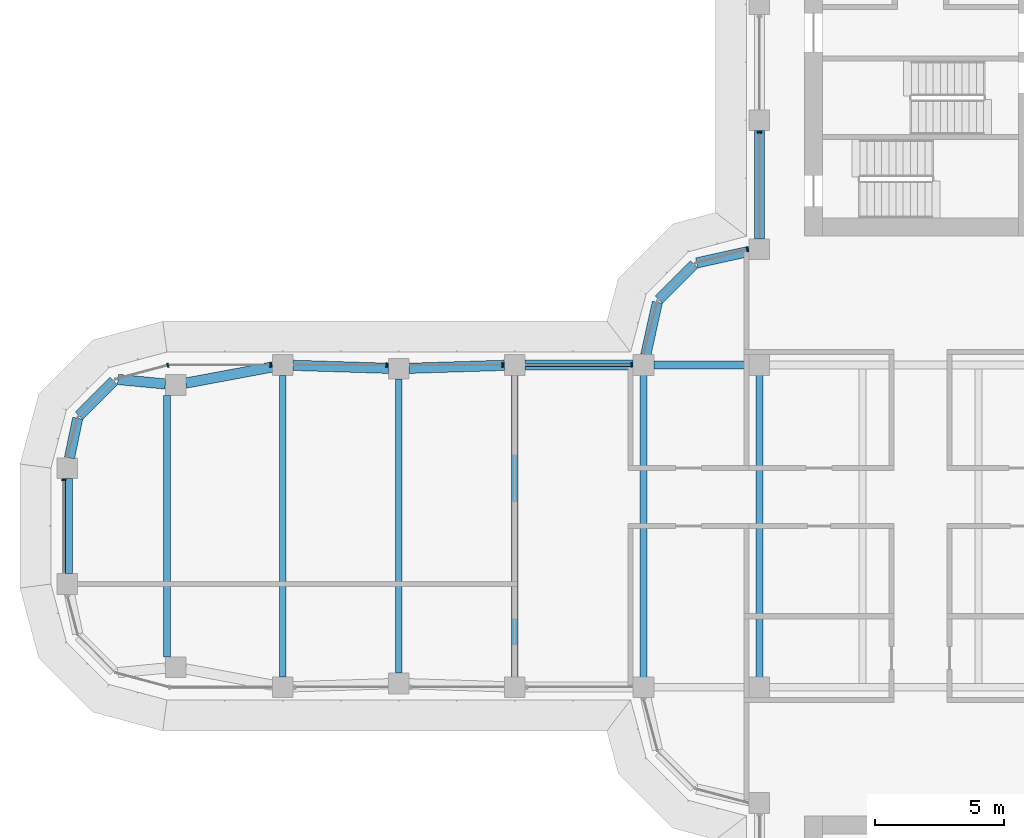
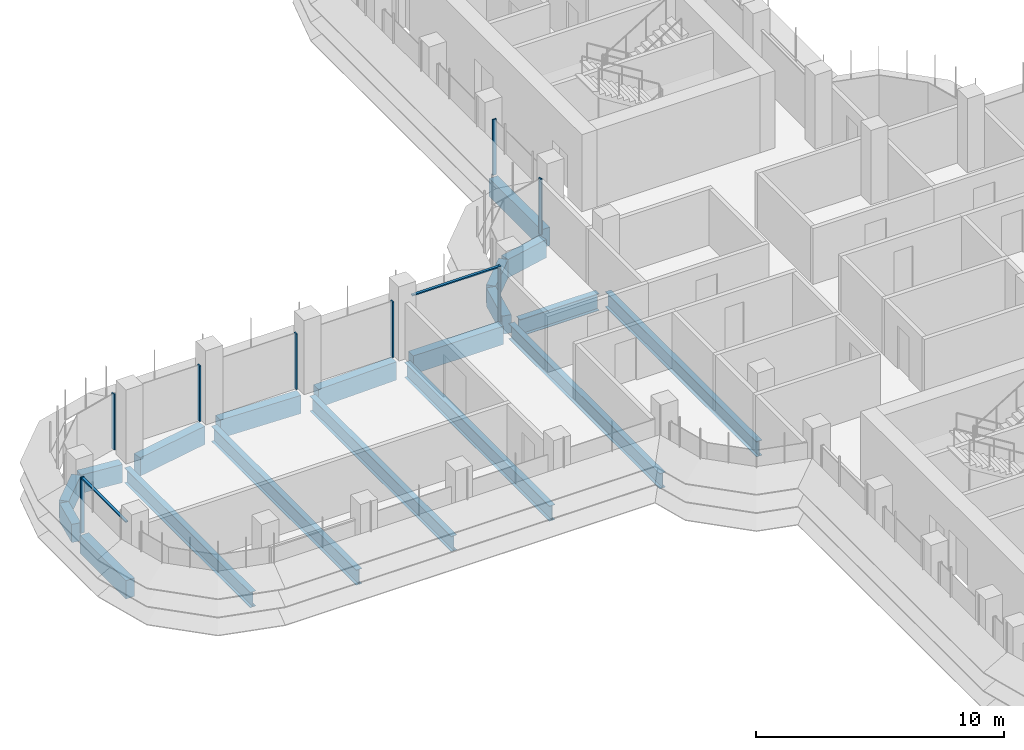
# One storey, part 6 of 19: 19 beams, 10 members, 5 elements without a shape of their own.
"""IFC4 building model written with IfcOpenShell, lengths in metres."""

from ifc_helpers import new_model, si_unit, direction, frame, origin, origin_2d, place, context, subcontext, project, spatial, polyline, rectangle, i_section, outline, extrude, source, transform, mapped, material, material_profile, profile_set, type_object, element, aggregate, save


model = new_model("IFC4")

# Units and contexts
model_context = context("Model", 3, precision=1e-05, world=origin(), true_north=direction((0.0, 1.0)))
body_context = subcontext(model_context, "Body", "Model", "MODEL_VIEW")
ifc_project = project(units=[si_unit("LENGTHUNIT", "METRE"), si_unit("AREAUNIT", "SQUARE_METRE"), si_unit("VOLUMEUNIT", "CUBIC_METRE"), si_unit("PLANEANGLEUNIT", "RADIAN"), si_unit("MASSUNIT", "GRAM", prefix="KILO")], contexts=[model_context])

# Site, building, storey
site_placement = place(None, origin())
site = spatial("IfcSite", under=ifc_project, at=site_placement, CompositionType="ELEMENT")
building_placement = place(site_placement, origin())
building = spatial("IfcBuilding", under=site, at=building_placement, Name="Zarbagh Exchange Tower", CompositionType="ELEMENT")
storey_placement = place(building_placement, frame((0.0, 0.0, 182.800048828125)))
storey = spatial("IfcBuildingStorey", under=building, at=storey_placement, Name="L44", CompositionType="ELEMENT", Elevation=182.800048828125)

# Beams
ifc_material_1 = material(Name="Steel ASTM A992 Gr 50", Category="steel")
ifc_material_profile_1 = material_profile(ifc_material_1, i_section(OverallWidth=0.26416015625, OverallDepth=0.749267578125, WebThickness=0.011962890625, FlangeThickness=0.015380859375, at=origin_2d()), Name="W30X90")
ifc_profile_set_1 = profile_set([ifc_material_profile_1], Name="Steel ASTM A992 Gr 50")
beam_type_1 = type_object("IfcBeamType", Name="Floor beam W30X90", PredefinedType="BEAM", material=ifc_profile_set_1)
for number, where, z_axis, x_axis, name in (
    (1, (-10.75, -6.10400390625, -0.524658203125), (0.0, 1.0, 0.0), (-1.0, 0.0, 0.0), "Steel floor beam"),
    (2, (-6.25, -6.10400390625, -0.524658203125), (0.0, 1.0, 0.0), (-1.0, 0.0, 0.0), "Steel floor beam"),
):
    element("IfcBeam", number, at=place(storey_placement, frame(where, z_axis=z_axis, x_axis=x_axis)), inside=storey, type_object=beam_type_1, Name=name, PredefinedType="BEAM", context=body_context, shape_type="SweptSolid", body=[
        extrude(i_section(OverallWidth=0.26416015625, OverallDepth=0.749267578125, WebThickness=0.011962890625, FlangeThickness=0.015380859375, at=origin_2d()), origin(), (0.0, 0.0, 1.0), 12.2080078125),
    ])
beam_1_placement = place(storey_placement, frame((-15.75, -5.85009765625, -0.524658203125), z_axis=(0.0, 1.0, 0.0), x_axis=(-1.0, 0.0, 0.0)))
element("IfcBeam", 3, at=beam_1_placement, inside=storey, type_object=beam_type_1, Name="Steel floor beam", PredefinedType="BEAM", context=body_context, shape_type="SweptSolid", body=[
    extrude(i_section(OverallWidth=0.26416015625, OverallDepth=0.749267578125, WebThickness=0.011962890625, FlangeThickness=0.015380859375, at=origin_2d()), origin(), (0.0, 0.0, 1.0), 11.7001953125),
])
beam_2_placement = place(storey_placement, frame((-20.25, -5.7099609375, -0.524658203125), z_axis=(0.0, 1.0, 0.0), x_axis=(-1.0, 0.0, 0.0)))
element("IfcBeam", 4, at=beam_2_placement, inside=storey, type_object=beam_type_1, Name="Steel floor beam", PredefinedType="BEAM", context=body_context, shape_type="SweptSolid", body=[
    extrude(i_section(OverallWidth=0.26416015625, OverallDepth=0.749267578125, WebThickness=0.011962890625, FlangeThickness=0.015380859375, at=origin_2d()), origin(), (0.0, 0.0, 1.0), 11.419921875),
])
beam_3_placement = place(storey_placement, frame((-24.75, -5.85009765625, -0.524658203125), z_axis=(0.0, 1.0, 0.0), x_axis=(-1.0, 0.0, 0.0)))
element("IfcBeam", 5, at=beam_3_placement, inside=storey, type_object=beam_type_1, Name="Steel floor beam", PredefinedType="BEAM", context=body_context, shape_type="SweptSolid", body=[
    extrude(i_section(OverallWidth=0.26416015625, OverallDepth=0.749267578125, WebThickness=0.011962890625, FlangeThickness=0.015380859375, at=origin_2d()), origin(), (0.0, 0.0, 1.0), 11.7001953125),
])
beam_4_placement = place(storey_placement, frame((-29.25, -5.074951171875, -0.524658203125), z_axis=(0.0, 1.0, 0.0), x_axis=(-1.0, 0.0, 0.0)))
element("IfcBeam", 6, at=beam_4_placement, inside=storey, type_object=beam_type_1, Name="Steel floor beam", PredefinedType="BEAM", context=body_context, shape_type="SweptSolid", body=[
    extrude(i_section(OverallWidth=0.26416015625, OverallDepth=0.749267578125, WebThickness=0.011962890625, FlangeThickness=0.015380859375, at=origin_2d()), origin(), (0.0, 0.0, 1.0), 10.14990234375),
])
ifc_material_profile_2 = material_profile(ifc_material_1, i_section(OverallWidth=0.2919921875, OverallDepth=0.835693359375, WebThickness=0.013916015625, FlangeThickness=0.018798828125, at=origin_2d()), Name="W33X118")
ifc_profile_set_2 = profile_set([ifc_material_profile_2], Name="Steel ASTM A992 Gr 50")
beam_type_2 = type_object("IfcBeamType", Name="Floor girder W33X118", PredefinedType="BEAM", material=ifc_profile_set_2)
beam_5_placement = place(storey_placement, frame((-10.35009765625, 6.25, -0.56787109375), z_axis=(1.0, 0.0, 0.0), x_axis=(0.0, 1.0, 0.0)))
element("IfcBeam", 7, at=beam_5_placement, inside=storey, type_object=beam_type_2, Name="Steel girder", PredefinedType="BEAM", context=body_context, shape_type="SweptSolid", body=[
    extrude(i_section(OverallWidth=0.2919921875, OverallDepth=0.835693359375, WebThickness=0.013916015625, FlangeThickness=0.018798828125, at=origin_2d()), origin(), (0.0, 0.0, 1.0), 3.7001953125),
])
ifc_material_2 = material(Name="Concrete C50/60", Category="concrete")
ifc_material_profile_3 = material_profile(ifc_material_2, rectangle(XDim=0.39990234375, YDim=0.89990234375, at=origin_2d()), Name="RC spandrel beam 400 x 900 C50/60")
ifc_profile_set_3 = profile_set([ifc_material_profile_3], Name="Concrete C50/60")
beam_type_3 = type_object("IfcBeamType", Name="RC spandrel beam 400 x 900 C50/60", PredefinedType="SPANDREL", material=ifc_profile_set_3)
beam_6_placement = place(storey_placement, frame((-33.110107421875, -1.85009765625, -0.60009765625), z_axis=(0.0, 1.0, 0.0), x_axis=(-1.0, 0.0, 0.0)))
element("IfcBeam", 8, at=beam_6_placement, inside=storey, type_object=beam_type_3, Name="RC spandrel beam", PredefinedType="SPANDREL", context=body_context, shape_type="SweptSolid", body=[
    extrude(rectangle(XDim=0.39990234375, YDim=0.89990234375, at=origin_2d()), origin(), (0.0, 0.0, 1.0), 3.7001953125),
])
beam_7_placement = place(storey_placement, frame((-33.029052734375, 2.6416015625, -0.60009765625), z_axis=(0.20216948151, 0.979350550491, 0.0), x_axis=(-0.979350550491, 0.20216948151, 0.0)))
element("IfcBeam", 9, at=beam_7_placement, inside=storey, type_object=beam_type_3, Name="RC spandrel beam", PredefinedType="SPANDREL", context=body_context, shape_type="SweptSolid", body=[
    extrude(rectangle(XDim=0.39990234375, YDim=0.89990234375, at=origin_2d()), origin(), (0.0, 0.0, 1.0), 1.573486328125),
])
beam_8_placement = place(storey_placement, frame((-32.656494140625, 4.283447265625, -0.60009765625), z_axis=(0.707106781187, 0.707106781187, 0.0), x_axis=(-0.707106781187, 0.707106781187, 0.0)))
element("IfcBeam", 10, at=beam_8_placement, inside=storey, type_object=beam_type_3, Name="RC spandrel beam", PredefinedType="SPANDREL", context=body_context, shape_type="SweptSolid", body=[
    extrude(rectangle(XDim=0.39990234375, YDim=0.89990234375, at=origin_2d()), origin(), (0.0, 0.0, 1.0), 1.9072265625),
])
beam_9_placement = place(storey_placement, frame((-31.147216796875, 5.689697265625, -0.60009765625), z_axis=(0.995435353267, -0.095438239015, 0.0), x_axis=(0.095438239015, 0.995435353267, 0.0)))
element("IfcBeam", 11, at=beam_9_placement, inside=storey, type_object=beam_type_3, Name="RC spandrel beam", PredefinedType="SPANDREL", context=body_context, shape_type="SweptSolid", body=[
    extrude(rectangle(XDim=0.39990234375, YDim=0.89990234375, at=origin_2d()), origin(), (0.0, 0.0, 1.0), 1.849609375),
])
beam_10_placement = place(storey_placement, frame((-28.514892578125, 5.54833984375, -0.60009765625), z_axis=(0.983069862768, 0.183231124313, 0.0), x_axis=(-0.183231124313, 0.983069862768, 0.0)))
element("IfcBeam", 12, at=beam_10_placement, inside=storey, type_object=beam_type_3, Name="RC spandrel beam", PredefinedType="SPANDREL", context=body_context, shape_type="SweptSolid", body=[
    extrude(rectangle(XDim=0.39990234375, YDim=0.89990234375, at=origin_2d()), origin(), (0.0, 0.0, 1.0), 3.4296875),
])
for number, where, z_axis, x_axis, name in (
    (13, (-24.35009765625, 6.237548828125, -0.60009765625), (0.999515416033, -0.031127690444, 0.0), (0.031127690444, 0.999515416033, 0.0), "RC spandrel beam"),
    (14, (-19.85009765625, 6.122314453125, -0.60009765625), (0.999515416033, 0.031127690444, 0.0), (-0.031127690444, 0.999515416033, 0.0), "RC spandrel beam"),
):
    element("IfcBeam", number, at=place(storey_placement, frame(where, z_axis=z_axis, x_axis=x_axis)), inside=storey, type_object=beam_type_3, Name=name, PredefinedType="SPANDREL", context=body_context, shape_type="SweptSolid", body=[
        extrude(rectangle(XDim=0.39990234375, YDim=0.89990234375, at=origin_2d()), origin(), (0.0, 0.0, 1.0), 3.701904296875),
    ])
beam_11_placement = place(storey_placement, frame((-15.35009765625, 6.25, -0.60009765625), z_axis=(1.0, 0.0, 0.0), x_axis=(0.0, 1.0, 0.0)))
element("IfcBeam", 15, at=beam_11_placement, inside=storey, type_object=beam_type_3, Name="RC spandrel beam", PredefinedType="SPANDREL", context=body_context, shape_type="SweptSolid", body=[
    extrude(rectangle(XDim=0.39990234375, YDim=0.89990234375, at=origin_2d()), origin(), (0.0, 0.0, 1.0), 4.2001953125),
])
beam_12_placement = place(storey_placement, frame((-10.66357421875, 6.640625, -0.60009765625), z_axis=(0.216041061437, 0.976384278741, 0.0), x_axis=(-0.976384278741, 0.216041061437, 0.0)))
element("IfcBeam", 16, at=beam_12_placement, inside=storey, type_object=beam_type_3, Name="RC spandrel beam", PredefinedType="SPANDREL", context=body_context, shape_type="SweptSolid", body=[
    extrude(rectangle(XDim=0.39990234375, YDim=0.89990234375, at=origin_2d()), origin(), (0.0, 0.0, 1.0), 2.0927734375),
])
beam_13_placement = place(storey_placement, frame((-10.15771484375, 8.782470703125, -0.60009765625), z_axis=(0.707106781187, 0.707106781187, 0.0), x_axis=(-0.707106781187, 0.707106781187, 0.0)))
element("IfcBeam", 17, at=beam_13_placement, inside=storey, type_object=beam_type_3, Name="RC spandrel beam", PredefinedType="SPANDREL", context=body_context, shape_type="SweptSolid", body=[
    extrude(rectangle(XDim=0.39990234375, YDim=0.89990234375, at=origin_2d()), origin(), (0.0, 0.0, 1.0), 1.94482421875),
])
beam_14_placement = place(storey_placement, frame((-8.68408203125, 10.21142578125, -0.60009765625), z_axis=(0.976384278741, 0.216041061437, 0.0), x_axis=(-0.216041061437, 0.976384278741, 0.0)))
element("IfcBeam", 18, at=beam_14_placement, inside=storey, type_object=beam_type_3, Name="RC spandrel beam", PredefinedType="SPANDREL", context=body_context, shape_type="SweptSolid", body=[
    extrude(rectangle(XDim=0.39990234375, YDim=0.89990234375, at=origin_2d()), origin(), (0.0, 0.0, 1.0), 2.0927734375),
])
beam_15_placement = place(storey_placement, frame((-6.25, 11.14990234375, -0.60009765625), z_axis=(0.0, 1.0, 0.0), x_axis=(-1.0, 0.0, 0.0)))
element("IfcBeam", 19, at=beam_15_placement, inside=storey, type_object=beam_type_3, Name="RC spandrel beam", PredefinedType="SPANDREL", context=body_context, shape_type="SweptSolid", body=[
    extrude(rectangle(XDim=0.39990234375, YDim=0.89990234375, at=origin_2d()), origin(), (0.0, 0.0, 1.0), 4.2001953125),
])

# Curtain wall, member
ifc_material_3 = material(Name="Anodised aluminium frame and glazing", Category="aluminium")
curtain_wall_type = type_object("IfcCurtainWallType", Name="CWB Ribbon glazing, upper zones", PredefinedType="NOTDEFINED", material=ifc_material_3)
curtain_wall_1_placement = place(storey_placement, origin())
curtain_wall_1 = element("IfcCurtainWall", 20, at=curtain_wall_1_placement, inside=storey, type_object=curtain_wall_type, Name="CWB28 curtain wall", PredefinedType="NOTDEFINED")
ifc_material_4 = material(Name="Anodised aluminium frame", Category="aluminium")
member_type_1 = type_object("IfcMemberType", Name="MUB Mullion, anodised aluminium frame", PredefinedType="MULLION", material=ifc_material_4)
shared_shape_1 = source(origin(), body_context, "Body", "SweptSolid", [
    extrude(outline(polyline([(0.0, -0.080078125), (0.06005859375, -0.080078125), (0.06005859375, 0.080078125), (0.0, 0.080078125), (0.0, -0.080078125)])), origin(), (0.0, 0.0, 1.0), 2.75),
])
placement = place(storey_placement, origin())
member_1 = element("IfcMember", 21, at=placement, type_object=member_type_1, Name="CWB28 mullion 4.1", PredefinedType="MULLION", context=body_context, shape_type="MappedRepresentation", body=[
    mapped(shared_shape_1, transform((-6.25, 15.31005859375, 0.0), x_axis=(0.0, -1.0, 0.0), y_axis=(1.0, 0.0, 0.0), z_axis=(0.0, 0.0, 1.0))),
])
aggregate(curtain_wall_1, [member_1])

curtain_wall_2_placement = place(storey_placement, origin())
curtain_wall_2 = element("IfcCurtainWall", 22, at=curtain_wall_2_placement, inside=storey, type_object=curtain_wall_type, Name="CWB29 curtain wall", PredefinedType="NOTDEFINED")
member_2 = element("IfcMember", 23, at=placement, type_object=member_type_1, Name="CWB29 mullion 1.1", PredefinedType="MULLION", context=body_context, shape_type="MappedRepresentation", body=[
    mapped(shared_shape_1, transform((-6.68994140625, 10.74853515625, 0.0), x_axis=(-0.965924289636, -0.258824779902, 0.0), y_axis=(0.258824779902, -0.965924289636, 0.0), z_axis=(0.0, 0.0, 1.0))),
])
aggregate(curtain_wall_2, [member_2])

# Curtain wall, members
curtain_wall_3_placement = place(storey_placement, origin())
curtain_wall_3 = element("IfcCurtainWall", 24, at=curtain_wall_3_placement, inside=storey, type_object=curtain_wall_type, Name="CWB32 curtain wall", PredefinedType="NOTDEFINED")
member_3 = element("IfcMember", 25, at=placement, type_object=member_type_1, Name="CWB32 mullion 1.1", PredefinedType="MULLION", context=body_context, shape_type="MappedRepresentation", body=[
    mapped(shared_shape_1, transform((-11.18994140625, 6.25, 0.0), x_axis=(-1.0, 0.0, 0.0), y_axis=(0.0, -1.0, 0.0), z_axis=(0.0, 0.0, 1.0))),
])
member_4 = element("IfcMember", 26, at=placement, type_object=member_type_1, Name="CWB32 mullion 2.1", PredefinedType="MULLION", context=body_context, shape_type="MappedRepresentation", body=[
    mapped(shared_shape_1, transform((-16.18994140625, 6.25, 0.0), x_axis=(-1.0, 0.0, 0.0), y_axis=(0.0, -1.0, 0.0), z_axis=(0.0, 0.0, 1.0))),
])
member_5 = element("IfcMember", 27, at=placement, type_object=member_type_1, Name="CWB32 mullion 3.1", PredefinedType="MULLION", context=body_context, shape_type="MappedRepresentation", body=[
    mapped(shared_shape_1, transform((-20.68994140625, 6.25, 0.0), x_axis=(-1.0, 0.0, 0.0), y_axis=(0.0, -1.0, 0.0), z_axis=(0.0, 0.0, 1.0))),
])
member_6 = element("IfcMember", 28, at=placement, type_object=member_type_1, Name="CWB32 mullion 4.1", PredefinedType="MULLION", context=body_context, shape_type="MappedRepresentation", body=[
    mapped(shared_shape_1, transform((-25.18994140625, 6.25, 0.0), x_axis=(-1.0, 0.0, 0.0), y_axis=(0.0, -1.0, 0.0), z_axis=(0.0, 0.0, 1.0))),
])

# Curtain wall, member
curtain_wall_4_placement = place(storey_placement, origin())
curtain_wall_4 = element("IfcCurtainWall", 29, at=curtain_wall_4_placement, inside=storey, type_object=curtain_wall_type, Name="CWB33 curtain wall", PredefinedType="NOTDEFINED")
member_7 = element("IfcMember", 30, at=placement, type_object=member_type_1, Name="CWB33 mullion 1.1", PredefinedType="MULLION", context=body_context, shape_type="MappedRepresentation", body=[
    mapped(shared_shape_1, transform((-29.18408203125, 6.25, 0.0), x_axis=(-0.965924289636, -0.258824779902, 0.0), y_axis=(0.258824779902, -0.965924289636, 0.0), z_axis=(0.0, 0.0, 1.0))),
])
aggregate(curtain_wall_4, [member_7])

curtain_wall_5_placement = place(storey_placement, origin())
curtain_wall_5 = element("IfcCurtainWall", 31, at=curtain_wall_5_placement, inside=storey, type_object=curtain_wall_type, Name="CWB36 curtain wall", PredefinedType="NOTDEFINED")
member_8 = element("IfcMember", 32, at=placement, type_object=member_type_1, Name="CWB36 mullion 1.1", PredefinedType="MULLION", context=body_context, shape_type="MappedRepresentation", body=[
    mapped(shared_shape_1, transform((-33.25, 1.81005859375, 0.0), x_axis=(0.0, -1.0, 0.0), y_axis=(1.0, 0.0, 0.0), z_axis=(0.0, 0.0, 1.0))),
])

# Member
member_type_2 = type_object("IfcMemberType", Name="TRB Transom, anodised aluminium frame", PredefinedType="USERDEFINED", material=ifc_material_4)
shared_shape_2 = source(origin(), body_context, "Body", "SweptSolid", [
    extrude(outline(polyline([(-0.06005859375, -0.06005859375), (0.0, -0.06005859375), (0.0, 0.06005859375), (-0.06005859375, 0.06005859375), (-0.06005859375, -0.06005859375)])), origin(), (0.0, 0.0, 1.0), 4.06005859375),
])
member_9 = element("IfcMember", 33, at=placement, type_object=member_type_2, Name="CWB32 transom 1.1", ObjectType="TRANSOM", PredefinedType="USERDEFINED", context=body_context, shape_type="MappedRepresentation", body=[
    mapped(shared_shape_2, transform((-11.25, 6.25, 2.75), x_axis=(0.0, 0.0, 1.0), y_axis=(0.0, 1.0, 0.0), z_axis=(-1.0, 0.0, 0.0))),
])

aggregate(curtain_wall_3, [member_3, member_9, member_4, member_5, member_6])

shared_shape_3 = source(origin(), body_context, "Body", "SweptSolid", [
    extrude(outline(polyline([(-0.06005859375, -0.06005859375), (0.0, -0.06005859375), (0.0, 0.06005859375), (-0.06005859375, 0.06005859375), (-0.06005859375, -0.06005859375)])), origin(), (0.0, 0.0, 1.0), 3.56005859375),
])
member_10 = element("IfcMember", 34, at=placement, type_object=member_type_2, Name="CWB36 transom 1.1", ObjectType="TRANSOM", PredefinedType="USERDEFINED", context=body_context, shape_type="MappedRepresentation", body=[
    mapped(shared_shape_3, transform((-33.25, 1.75, 2.75), x_axis=(0.0, 0.0, 1.0), y_axis=(-1.0, 0.0, 0.0), z_axis=(0.0, -1.0, 0.0))),
])

aggregate(curtain_wall_5, [member_8, member_10])

save(model, "model.ifc")
